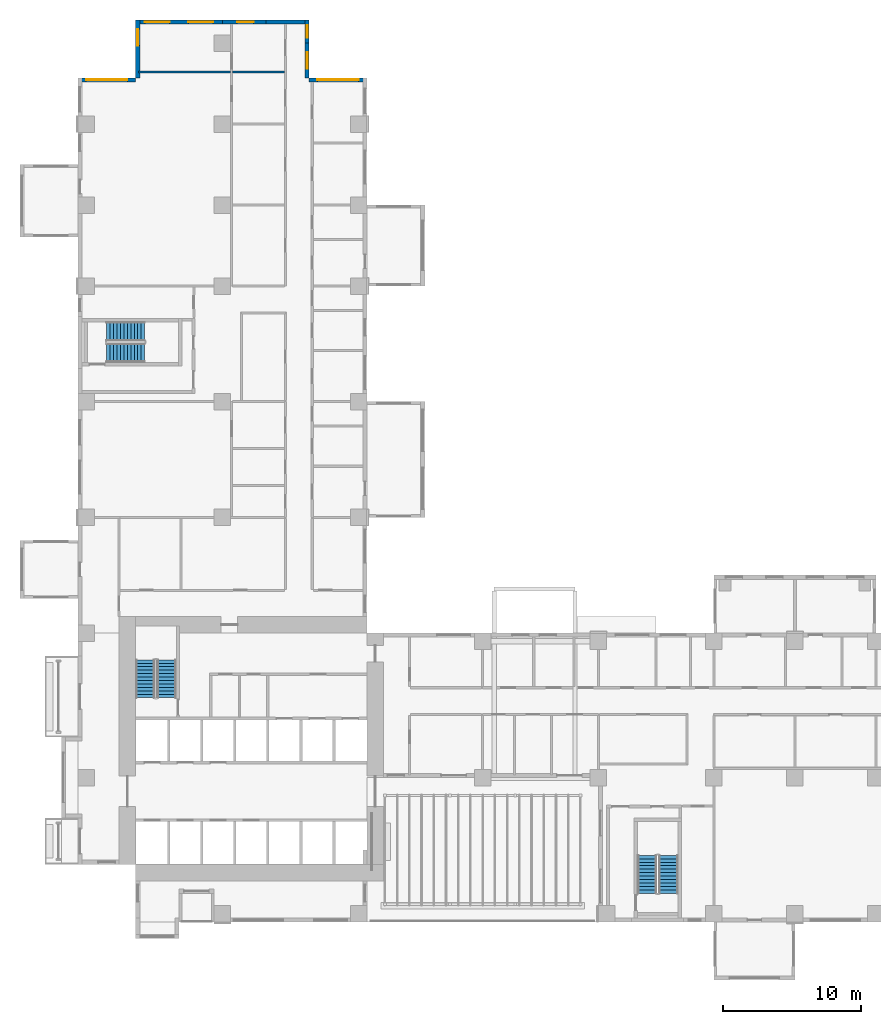
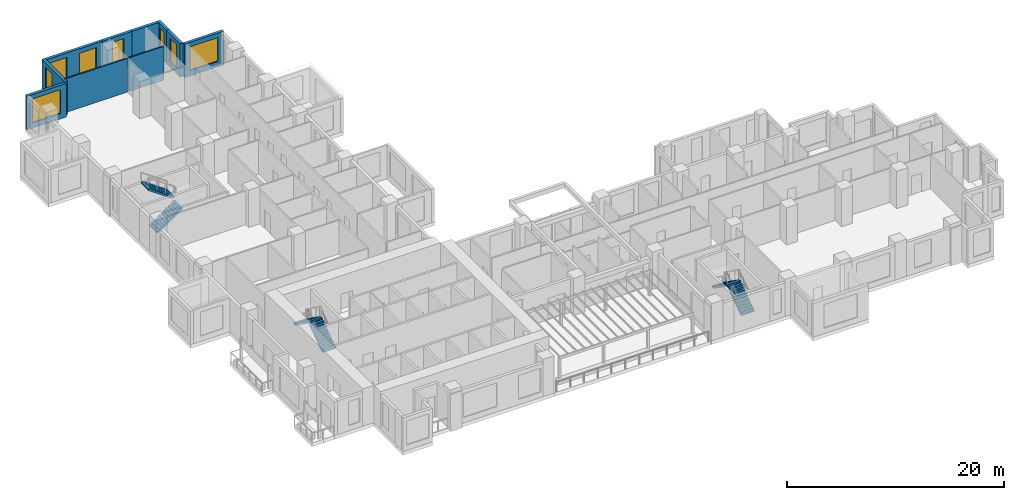
# One storey, part 12 of 17: 10 walls, 8 windows, 6 stair flights, 8 openings, 3 elements without a shape of their own.
"""IFC4 building model written with IfcOpenShell, lengths in metres."""

from ifc_helpers import new_model, si_unit, direction, frame, frame_2d, origin, place, context, subcontext, project, spatial, polyline, rectangle, outline, extrude, source, transform, mapped, material, layer, layer_set, type_object, element, fill, aggregate, save


model = new_model("IFC4")

# Units and contexts
model_context = context("Model", 3, precision=1e-05, world=origin(), true_north=direction((0.0, 1.0)))
body_context = subcontext(model_context, "Body", "Model", "MODEL_VIEW")
ifc_project = project(units=[si_unit("LENGTHUNIT", "METRE"), si_unit("AREAUNIT", "SQUARE_METRE"), si_unit("VOLUMEUNIT", "CUBIC_METRE"), si_unit("PLANEANGLEUNIT", "RADIAN"), si_unit("MASSUNIT", "GRAM", prefix="KILO")], contexts=[model_context])

# Site, building, storey
site_placement = place(None, origin())
site = spatial("IfcSite", under=ifc_project, at=site_placement, CompositionType="ELEMENT")
building_placement = place(site_placement, origin())
building = spatial("IfcBuilding", under=site, at=building_placement, Name="Aurelian Terraces", CompositionType="ELEMENT")
storey_placement = place(building_placement, frame((0.0, 0.0, 48.9)))
storey = spatial("IfcBuildingStorey", under=building, at=storey_placement, Name="L09", CompositionType="ELEMENT", Elevation=48.9)

# Wall
ifc_material_1 = material(Name="Terracotta rainscreen cladding", Category="masonry")
ifc_layer_1 = layer(ifc_material_1, 0.3)
ifc_layer_set_1 = layer_set([ifc_layer_1], Name="EW-300")
wall_type_1 = type_object("IfcWallType", Name="EW-300", PredefinedType="STANDARD", material=ifc_layer_set_1)
shared_shape_1 = source(origin(), body_context, "Body", "SweptSolid", [
    extrude(rectangle(XDim=3.15, YDim=0.3, at=frame_2d((1.575, 0.0))), origin(), (0.0, 0.0, 1.0), 3.8),
])
wall_1_placement = place(storey_placement, frame((16.8, 65.37, 0.0), z_axis=(0.0, 0.0, 1.0), x_axis=(-1.0, 0.0, 0.0)))
element("IfcWall", 1, at=wall_1_placement, inside=storey, type_object=wall_type_1, Name="External wall L09 F15.35", PredefinedType="STANDARD", context=body_context, shape_type="MappedRepresentation", body=[
    mapped(shared_shape_1, transform((0.0, 0.0, 0.0), scale=1.0)),
])

# Wall, opening, window
wall_2_placement = place(storey_placement, frame((13.65, 65.37, 0.0), z_axis=(0.0, 0.0, 1.0), x_axis=(-1.0, 0.0, 0.0)))
wall_2 = element("IfcWall", 2, at=wall_2_placement, inside=storey, type_object=wall_type_1, Name="External wall L09 F15.36", PredefinedType="STANDARD", context=body_context, shape_type="MappedRepresentation", body=[
    mapped(shared_shape_1, transform((0.0, 0.0, 0.0), scale=1.0)),
])
shared_shape_2 = source(origin(), body_context, "Body", "SweptSolid", [
    extrude(rectangle(XDim=1.2, YDim=2.7, at=frame_2d((0.6, 1.35))), frame((0.0, 0.16, 0.0), z_axis=(0.0, -1.0, 0.0), x_axis=(1.0, 0.0, 0.0)), (0.0, 0.0, 1.0), 0.32),
])
opening_1_placement = place(wall_2_placement, frame((0.8875, 0.0, 0.6)))
opening_1 = element("IfcOpeningElement", 3, at=opening_1_placement, cuts=wall_2, Name="Opening W1227", PredefinedType="OPENING", context=body_context, shape_type="MappedRepresentation", body=[
    mapped(shared_shape_2, transform((0.0, 0.0, 0.0), scale=1.0)),
])
ifc_material_2 = material(Name="Clear glazing", Category="glass")
window_type_1 = type_object("IfcWindowType", Name="W-1200x2700", PartitioningType="SINGLE_PANEL", PredefinedType="WINDOW", material=ifc_material_2)
shared_shape_3 = source(origin(), body_context, "Body", "SweptSolid", [
    extrude(rectangle(XDim=1.2, YDim=2.7, at=frame_2d((0.6, 1.35))), frame((0.0, 0.03, 0.0), z_axis=(0.0, -1.0, 0.0), x_axis=(1.0, 0.0, 0.0)), (0.0, 0.0, 1.0), 0.06),
])
window_1_placement = place(opening_1_placement, origin())
window_1 = element("IfcWindow", 4, at=window_1_placement, inside=storey, type_object=window_type_1, Name="Window L09 L09-F15-36-0", OverallHeight=2.7, OverallWidth=1.2, PartitioningType="SINGLE_PANEL", PredefinedType="WINDOW", context=body_context, shape_type="MappedRepresentation", body=[
    mapped(shared_shape_3, transform((0.0, 0.0, 0.0), scale=1.0)),
])
fill(opening_1, window_1)

shared_shape_4 = source(origin(), body_context, "Body", "SweptSolid", [
    extrude(rectangle(XDim=4.2, YDim=0.3, at=frame_2d((2.1, 0.0))), origin(), (0.0, 0.0, 1.0), 3.8),
])
wall_3_placement = place(storey_placement, frame((21.0, 61.17, 0.0), z_axis=(0.0, 0.0, 1.0), x_axis=(-1.0, 0.0, 0.0)))
wall_3 = element("IfcWall", 5, at=wall_3_placement, inside=storey, type_object=wall_type_1, Name="External wall L09 F13.32", PredefinedType="STANDARD", context=body_context, shape_type="MappedRepresentation", body=[
    mapped(shared_shape_4, transform((0.0, 0.0, 0.0), scale=1.0)),
])
shared_shape_5 = source(origin(), body_context, "Body", "SweptSolid", [
    extrude(rectangle(XDim=3.0, YDim=2.7, at=frame_2d((1.5, 1.35))), frame((0.0, 0.16, 0.0), z_axis=(0.0, -1.0, 0.0), x_axis=(1.0, 0.0, 0.0)), (0.0, 0.0, 1.0), 0.32),
])
opening_2_placement = place(wall_3_placement, frame((0.6, 0.0, 0.6)))
opening_2 = element("IfcOpeningElement", 6, at=opening_2_placement, cuts=wall_3, Name="Opening W3027", PredefinedType="OPENING", context=body_context, shape_type="MappedRepresentation", body=[
    mapped(shared_shape_5, transform((0.0, 0.0, 0.0), scale=1.0)),
])
window_type_2 = type_object("IfcWindowType", Name="W-3000x2700", PartitioningType="SINGLE_PANEL", PredefinedType="WINDOW", material=ifc_material_2)
shared_shape_6 = source(origin(), body_context, "Body", "SweptSolid", [
    extrude(rectangle(XDim=3.0, YDim=2.7, at=frame_2d((1.5, 1.35))), frame((0.0, 0.03, 0.0), z_axis=(0.0, -1.0, 0.0), x_axis=(1.0, 0.0, 0.0)), (0.0, 0.0, 1.0), 0.06),
])
window_2_placement = place(opening_2_placement, origin())
window_2 = element("IfcWindow", 7, at=window_2_placement, inside=storey, type_object=window_type_2, Name="Window L09 L09-F13-32-0", OverallHeight=2.7, OverallWidth=3.0, PartitioningType="SINGLE_PANEL", PredefinedType="WINDOW", context=body_context, shape_type="MappedRepresentation", body=[
    mapped(shared_shape_6, transform((0.0, 0.0, 0.0), scale=1.0)),
])
fill(opening_2, window_2)

wall_4_placement = place(storey_placement, frame((4.35, 65.52, 0.0), z_axis=(0.0, 0.0, 1.0), x_axis=(0.0, -1.0, 0.0)))
wall_4 = element("IfcWall", 8, at=wall_4_placement, inside=storey, type_object=wall_type_1, Name="External wall L09 F16.38", PredefinedType="STANDARD", context=body_context, shape_type="MappedRepresentation", body=[
    mapped(shared_shape_4, transform((0.0, 0.0, 0.0), scale=1.0)),
])
opening_3_placement = place(wall_4_placement, frame((0.66, 0.0, 0.6)))
opening_3 = element("IfcOpeningElement", 9, at=opening_3_placement, cuts=wall_4, Name="Opening W1227", PredefinedType="OPENING", context=body_context, shape_type="MappedRepresentation", body=[
    mapped(shared_shape_2, transform((0.0, 0.0, 0.0), scale=1.0)),
])
window_3_placement = place(opening_3_placement, origin())
window_3 = element("IfcWindow", 10, at=window_3_placement, inside=storey, type_object=window_type_1, Name="Window L09 L09-F16-38-0", OverallHeight=2.7, OverallWidth=1.2, PartitioningType="SINGLE_PANEL", PredefinedType="WINDOW", context=body_context, shape_type="MappedRepresentation", body=[
    mapped(shared_shape_3, transform((0.0, 0.0, 0.0), scale=1.0)),
])
fill(opening_3, window_3)

wall_5_placement = place(storey_placement, frame((4.2, 61.17, 0.0), z_axis=(0.0, 0.0, 1.0), x_axis=(-1.0, 0.0, 0.0)))
wall_5 = element("IfcWall", 11, at=wall_5_placement, inside=storey, type_object=wall_type_1, Name="External wall L09 F17.39", PredefinedType="STANDARD", context=body_context, shape_type="MappedRepresentation", body=[
    mapped(shared_shape_4, transform((0.0, 0.0, 0.0), scale=1.0)),
])
opening_4_placement = place(wall_5_placement, frame((0.6, 0.0, 0.6)))
opening_4 = element("IfcOpeningElement", 12, at=opening_4_placement, cuts=wall_5, Name="Opening W3027", PredefinedType="OPENING", context=body_context, shape_type="MappedRepresentation", body=[
    mapped(shared_shape_5, transform((0.0, 0.0, 0.0), scale=1.0)),
])
window_4_placement = place(opening_4_placement, origin())
window_4 = element("IfcWindow", 13, at=window_4_placement, inside=storey, type_object=window_type_2, Name="Window L09 L09-F17-39-0", OverallHeight=2.7, OverallWidth=3.0, PartitioningType="SINGLE_PANEL", PredefinedType="WINDOW", context=body_context, shape_type="MappedRepresentation", body=[
    mapped(shared_shape_6, transform((0.0, 0.0, 0.0), scale=1.0)),
])
fill(opening_4, window_4)

shared_shape_7 = source(origin(), body_context, "Body", "SweptSolid", [
    extrude(rectangle(XDim=2.52, YDim=0.3, at=frame_2d((1.26, 0.0))), origin(), (0.0, 0.0, 1.0), 3.8),
])
wall_6_placement = place(storey_placement, frame((16.65, 61.32, 0.0), z_axis=(0.0, 0.0, 1.0), x_axis=(0.0, 1.0, 0.0)))
wall_6 = element("IfcWall", 14, at=wall_6_placement, inside=storey, type_object=wall_type_1, Name="External wall L09 F14.33", PredefinedType="STANDARD", context=body_context, shape_type="MappedRepresentation", body=[
    mapped(shared_shape_7, transform((0.0, 0.0, 0.0), scale=1.0)),
])
opening_5_placement = place(wall_6_placement, frame((0.66, 0.0, 0.6)))
opening_5 = element("IfcOpeningElement", 15, at=opening_5_placement, cuts=wall_6, Name="Opening W1227", PredefinedType="OPENING", context=body_context, shape_type="MappedRepresentation", body=[
    mapped(shared_shape_2, transform((0.0, 0.0, 0.0), scale=1.0)),
])
window_5_placement = place(opening_5_placement, origin())
window_5 = element("IfcWindow", 16, at=window_5_placement, inside=storey, type_object=window_type_1, Name="Window L09 L09-F14-33-0", OverallHeight=2.7, OverallWidth=1.2, PartitioningType="SINGLE_PANEL", PredefinedType="WINDOW", context=body_context, shape_type="MappedRepresentation", body=[
    mapped(shared_shape_3, transform((0.0, 0.0, 0.0), scale=1.0)),
])
fill(opening_5, window_5)

shared_shape_8 = source(origin(), body_context, "Body", "SweptSolid", [
    extrude(rectangle(XDim=1.68, YDim=0.3, at=frame_2d((0.84, 0.0))), origin(), (0.0, 0.0, 1.0), 3.8),
])
wall_7_placement = place(storey_placement, frame((16.65, 63.84, 0.0), z_axis=(0.0, 0.0, 1.0), x_axis=(0.0, 1.0, 0.0)))
wall_7 = element("IfcWall", 17, at=wall_7_placement, inside=storey, type_object=wall_type_1, Name="External wall L09 F14.34", PredefinedType="STANDARD", context=body_context, shape_type="MappedRepresentation", body=[
    mapped(shared_shape_8, transform((0.0, 0.0, 0.0), scale=1.0)),
])
shared_shape_9 = source(origin(), body_context, "Body", "SweptSolid", [
    extrude(rectangle(XDim=0.9, YDim=2.7, at=frame_2d((0.45, 1.35))), frame((0.0, 0.16, 0.0), z_axis=(0.0, -1.0, 0.0), x_axis=(1.0, 0.0, 0.0)), (0.0, 0.0, 1.0), 0.32),
])
opening_6_placement = place(wall_7_placement, frame((0.39, 0.0, 0.6)))
opening_6 = element("IfcOpeningElement", 18, at=opening_6_placement, cuts=wall_7, Name="Opening W0927", PredefinedType="OPENING", context=body_context, shape_type="MappedRepresentation", body=[
    mapped(shared_shape_9, transform((0.0, 0.0, 0.0), scale=1.0)),
])
window_type_3 = type_object("IfcWindowType", Name="W-900x2700", PartitioningType="SINGLE_PANEL", PredefinedType="WINDOW", material=ifc_material_2)
shared_shape_10 = source(origin(), body_context, "Body", "SweptSolid", [
    extrude(rectangle(XDim=0.9, YDim=2.7, at=frame_2d((0.45, 1.35))), frame((0.0, 0.03, 0.0), z_axis=(0.0, -1.0, 0.0), x_axis=(1.0, 0.0, 0.0)), (0.0, 0.0, 1.0), 0.06),
])
window_6_placement = place(opening_6_placement, origin())
window_6 = element("IfcWindow", 19, at=window_6_placement, inside=storey, type_object=window_type_3, Name="Window L09 L09-F14-34-P0", OverallHeight=2.7, OverallWidth=0.9, PartitioningType="SINGLE_PANEL", PredefinedType="WINDOW", context=body_context, shape_type="MappedRepresentation", body=[
    mapped(shared_shape_10, transform((0.0, 0.0, 0.0), scale=1.0)),
])
fill(opening_6, window_6)

# Wall, openings, windows
shared_shape_11 = source(origin(), body_context, "Body", "SweptSolid", [
    extrude(rectangle(XDim=6.3, YDim=0.3, at=frame_2d((3.15, 0.0))), origin(), (0.0, 0.0, 1.0), 3.8),
])
wall_8_placement = place(storey_placement, frame((10.5, 65.37, 0.0), z_axis=(0.0, 0.0, 1.0), x_axis=(-1.0, 0.0, 0.0)))
wall_8 = element("IfcWall", 20, at=wall_8_placement, inside=storey, type_object=wall_type_1, Name="External wall L09 F15.37", PredefinedType="STANDARD", context=body_context, shape_type="MappedRepresentation", body=[
    mapped(shared_shape_11, transform((0.0, 0.0, 0.0), scale=1.0)),
])
shared_shape_12 = source(origin(), body_context, "Body", "SweptSolid", [
    extrude(rectangle(XDim=1.8, YDim=2.7, at=frame_2d((0.9, 1.35))), frame((0.0, 0.16, 0.0), z_axis=(0.0, -1.0, 0.0), x_axis=(1.0, 0.0, 0.0)), (0.0, 0.0, 1.0), 0.32),
])
opening_7_placement = place(wall_8_placement, frame((0.675, 0.0, 0.6)))
opening_7 = element("IfcOpeningElement", 21, at=opening_7_placement, cuts=wall_8, Name="Opening W1827", PredefinedType="OPENING", context=body_context, shape_type="MappedRepresentation", body=[
    mapped(shared_shape_12, transform((0.0, 0.0, 0.0), scale=1.0)),
])
opening_8_placement = place(wall_8_placement, frame((3.825, 0.0, 0.6)))
opening_8 = element("IfcOpeningElement", 22, at=opening_8_placement, cuts=wall_8, Name="Opening W1827", PredefinedType="OPENING", context=body_context, shape_type="MappedRepresentation", body=[
    mapped(shared_shape_12, transform((0.0, 0.0, 0.0), scale=1.0)),
])
window_type_4 = type_object("IfcWindowType", Name="W-1800x2700", PartitioningType="SINGLE_PANEL", PredefinedType="WINDOW", material=ifc_material_2)
shared_shape_13 = source(origin(), body_context, "Body", "SweptSolid", [
    extrude(rectangle(XDim=1.8, YDim=2.7, at=frame_2d((0.9, 1.35))), frame((0.0, 0.03, 0.0), z_axis=(0.0, -1.0, 0.0), x_axis=(1.0, 0.0, 0.0)), (0.0, 0.0, 1.0), 0.06),
])
window_7_placement = place(opening_7_placement, origin())
window_7 = element("IfcWindow", 23, at=window_7_placement, inside=storey, type_object=window_type_4, Name="Window L09 L09-F15-37-0", OverallHeight=2.7, OverallWidth=1.8, PartitioningType="SINGLE_PANEL", PredefinedType="WINDOW", context=body_context, shape_type="MappedRepresentation", body=[
    mapped(shared_shape_13, transform((0.0, 0.0, 0.0), scale=1.0)),
])
fill(opening_7, window_7)
window_8_placement = place(opening_8_placement, origin())
window_8 = element("IfcWindow", 24, at=window_8_placement, inside=storey, type_object=window_type_4, Name="Window L09 L09-F15-37-1", OverallHeight=2.7, OverallWidth=1.8, PartitioningType="SINGLE_PANEL", PredefinedType="WINDOW", context=body_context, shape_type="MappedRepresentation", body=[
    mapped(shared_shape_13, transform((0.0, 0.0, 0.0), scale=1.0)),
])
fill(opening_8, window_8)

# Walls
ifc_material_3 = material(Name="Gypsum board on steel studs", Category="steel")
ifc_layer_2 = layer(ifc_material_3, 0.15)
ifc_layer_set_2 = layer_set([ifc_layer_2], Name="Partition 150")
wall_type_2 = type_object("IfcWallType", Name="Partition 150", PredefinedType="PARTITIONING", material=ifc_layer_set_2)
shared_shape_14 = source(origin(), body_context, "Body", "SweptSolid", [
    extrude(rectangle(XDim=3.75, YDim=0.15, at=frame_2d((1.875, 0.0))), origin(), (0.0, 0.0, 1.0), 3.8),
])
wall_9_placement = place(storey_placement, frame((15.0, 61.74, 0.0), z_axis=(0.0, 0.0, 1.0), x_axis=(-1.0, 0.0, 0.0)))
element("IfcWall", 25, at=wall_9_placement, inside=storey, type_object=wall_type_2, Name="Partition", PredefinedType="PARTITIONING", context=body_context, shape_type="MappedRepresentation", body=[
    mapped(shared_shape_14, transform((0.0, 0.0, 0.0), scale=1.0)),
])
shared_shape_15 = source(origin(), body_context, "Body", "SweptSolid", [
    extrude(rectangle(XDim=6.695, YDim=0.15, at=frame_2d((3.3475, 0.0))), origin(), (0.0, 0.0, 1.0), 3.8),
])
wall_10_placement = place(storey_placement, frame((11.1, 61.74, 0.0), z_axis=(0.0, 0.0, 1.0), x_axis=(-1.0, 0.0, 0.0)))
element("IfcWall", 26, at=wall_10_placement, inside=storey, type_object=wall_type_2, Name="Partition", PredefinedType="PARTITIONING", context=body_context, shape_type="MappedRepresentation", body=[
    mapped(shared_shape_15, transform((0.0, 0.0, 0.0), scale=1.0)),
])

# Stair, stair flights
ifc_material_4 = material(Name="Concrete fc' 40 MPa", Category="concrete")
stair_type = type_object("IfcStairType", Name="Stair 1400", PredefinedType="HALF_TURN_STAIR", material=ifc_material_4)
stair_1_placement = place(storey_placement, origin())
stair_1 = element("IfcStair", 27, at=stair_1_placement, inside=storey, type_object=stair_type, Name="L09 S1", PredefinedType="HALF_TURN_STAIR")
stair_flight_type = type_object("IfcStairFlightType", Name="Stair flight 1400", PredefinedType="STRAIGHT", material=ifc_material_4)
shared_shape_16 = source(origin(), body_context, "Body", "SweptSolid", [
    extrude(outline(polyline([(0.0, 0.0), (0.0, 0.175), (0.25, 0.175), (0.25, 0.35), (0.5, 0.35), (0.5, 0.525), (0.75, 0.525), (0.75, 0.7), (1.0, 0.7), (1.0, 0.875), (1.25, 0.875), (1.25, 1.05), (1.5, 1.05), (1.5, 1.225), (1.75, 1.225), (1.75, 1.4), (2.0, 1.4), (2.0, 1.575), (2.25, 1.575), (2.25, 1.75), (2.5, 1.75), (2.5, 1.925), (2.75, 1.925), (2.75, 2.1), (2.75, 1.7419), (0.2616, 0.0), (0.0, 0.0)])), frame((0.0, 0.7, 0.0), z_axis=(0.0, -1.0, 0.0), x_axis=(1.0, 0.0, 0.0)), (0.0, 0.0, 1.0), 1.4),
])
stair_flight_1_placement = place(storey_placement, frame((6.45, 16.3, 2e-08), z_axis=(0.0, 0.0, 1.0), x_axis=(0.0, 1.0, 0.0)))
stair_flight_1 = element("IfcStairFlight", 28, at=stair_flight_1_placement, type_object=stair_flight_type, Name="S1 flight 1", NumberOfRisers=12, NumberOfTreads=11, PredefinedType="STRAIGHT", RiserHeight=0.175, TreadLength=0.25, context=body_context, shape_type="MappedRepresentation", body=[
    mapped(shared_shape_16, transform((0.0, 0.0, 0.0), scale=1.0)),
])
stair_flight_2_placement = place(storey_placement, frame((4.9, 19.05, 2.1000000200000013), z_axis=(0.0, 0.0, 1.0), x_axis=(0.0, -1.0, 0.0)))
stair_flight_2 = element("IfcStairFlight", 29, at=stair_flight_2_placement, type_object=stair_flight_type, Name="S1 flight 2", NumberOfRisers=12, NumberOfTreads=11, PredefinedType="STRAIGHT", RiserHeight=0.175, TreadLength=0.25, context=body_context, shape_type="MappedRepresentation", body=[
    mapped(shared_shape_16, transform((0.0, 0.0, 0.0), scale=1.0)),
])
aggregate(stair_1, [stair_flight_1, stair_flight_2])

stair_2_placement = place(storey_placement, origin())
stair_2 = element("IfcStair", 30, at=stair_2_placement, inside=storey, type_object=stair_type, Name="L09 S2", PredefinedType="HALF_TURN_STAIR")
stair_flight_3_placement = place(storey_placement, frame((42.9, 2.1, 2e-08), z_axis=(0.0, 0.0, 1.0), x_axis=(0.0, 1.0, 0.0)))
stair_flight_3 = element("IfcStairFlight", 31, at=stair_flight_3_placement, type_object=stair_flight_type, Name="S2 flight 1", NumberOfRisers=12, NumberOfTreads=11, PredefinedType="STRAIGHT", RiserHeight=0.175, TreadLength=0.25, context=body_context, shape_type="MappedRepresentation", body=[
    mapped(shared_shape_16, transform((0.0, 0.0, 0.0), scale=1.0)),
])
stair_flight_4_placement = place(storey_placement, frame((41.35, 4.85, 2.1000000200000013), z_axis=(0.0, 0.0, 1.0), x_axis=(0.0, -1.0, 0.0)))
stair_flight_4 = element("IfcStairFlight", 32, at=stair_flight_4_placement, type_object=stair_flight_type, Name="S2 flight 2", NumberOfRisers=12, NumberOfTreads=11, PredefinedType="STRAIGHT", RiserHeight=0.175, TreadLength=0.25, context=body_context, shape_type="MappedRepresentation", body=[
    mapped(shared_shape_16, transform((0.0, 0.0, 0.0), scale=1.0)),
])
aggregate(stair_2, [stair_flight_3, stair_flight_4])

stair_3_placement = place(storey_placement, origin())
stair_3 = element("IfcStair", 33, at=stair_3_placement, inside=storey, type_object=stair_type, Name="L09 S3", PredefinedType="HALF_TURN_STAIR")
stair_flight_5_placement = place(storey_placement, frame((2.1, 41.35, 2e-08), z_axis=(0.0, 0.0, 1.0), x_axis=(1.0, 0.0, 0.0)))
stair_flight_5 = element("IfcStairFlight", 34, at=stair_flight_5_placement, type_object=stair_flight_type, Name="S3 flight 1", NumberOfRisers=12, NumberOfTreads=11, PredefinedType="STRAIGHT", RiserHeight=0.175, TreadLength=0.25, context=body_context, shape_type="MappedRepresentation", body=[
    mapped(shared_shape_16, transform((0.0, 0.0, 0.0), scale=1.0)),
])
stair_flight_6_placement = place(storey_placement, frame((4.85, 42.9, 2.1000000200000013), z_axis=(0.0, 0.0, 1.0), x_axis=(-1.0, 0.0, 0.0)))
stair_flight_6 = element("IfcStairFlight", 35, at=stair_flight_6_placement, type_object=stair_flight_type, Name="S3 flight 2", NumberOfRisers=12, NumberOfTreads=11, PredefinedType="STRAIGHT", RiserHeight=0.175, TreadLength=0.25, context=body_context, shape_type="MappedRepresentation", body=[
    mapped(shared_shape_16, transform((0.0, 0.0, 0.0), scale=1.0)),
])
aggregate(stair_3, [stair_flight_5, stair_flight_6])

save(model, "model.ifc")
